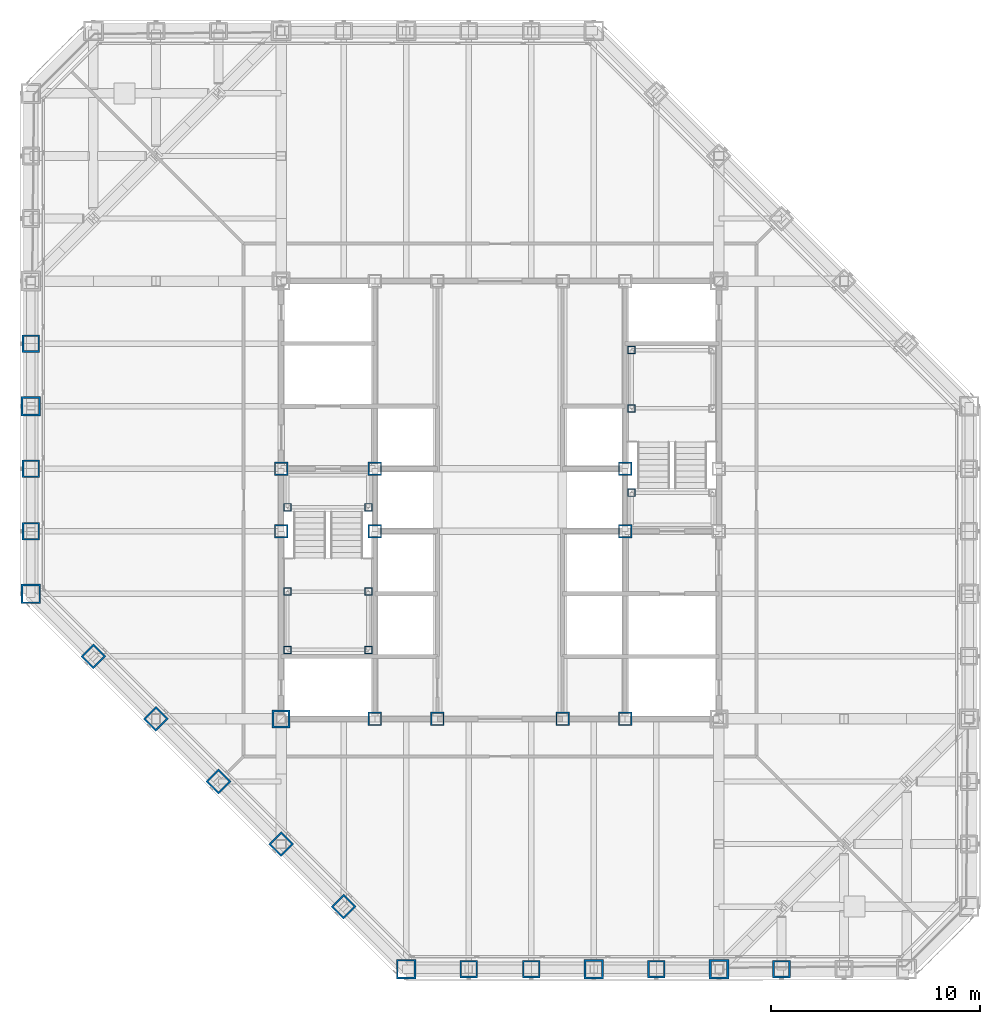
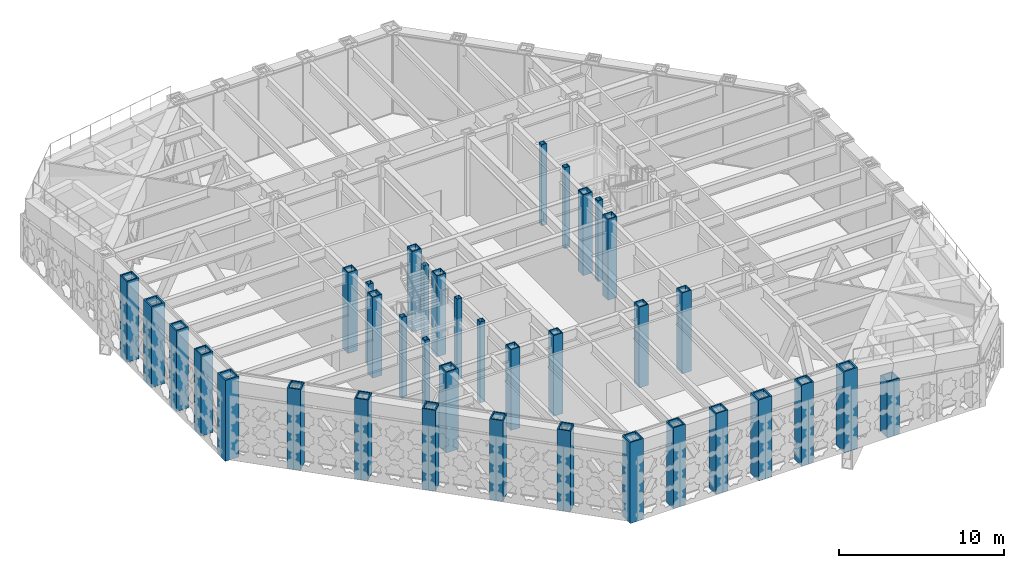
# One storey, part 1 of 28: 37 columns.
"""IFC4 building model written with IfcOpenShell, lengths in metres."""

from ifc_helpers import new_model, si_unit, direction, frame, origin, origin_2d, place, context, subcontext, project, spatial, hollow_rectangle, extrude, material, material_profile, profile_set, type_object, element, save


model = new_model("IFC4")

# Units and contexts
model_context = context("Model", 3, precision=1e-05, world=origin(), true_north=direction((0.0, 1.0)))
body_context = subcontext(model_context, "Body", "Model", "MODEL_VIEW")
ifc_project = project(units=[si_unit("LENGTHUNIT", "METRE"), si_unit("AREAUNIT", "SQUARE_METRE"), si_unit("VOLUMEUNIT", "CUBIC_METRE"), si_unit("PLANEANGLEUNIT", "RADIAN"), si_unit("MASSUNIT", "GRAM", prefix="KILO")], contexts=[model_context])

# Site, building, storey
site_placement = place(None, origin())
site = spatial("IfcSite", under=ifc_project, at=site_placement, CompositionType="ELEMENT")
building_placement = place(site_placement, origin())
building = spatial("IfcBuilding", under=site, at=building_placement, Name="Chuquiago Exchange Tower", CompositionType="ELEMENT")
storey_placement = place(building_placement, frame((0.0, 0.0, 174.0)))
storey = spatial("IfcBuildingStorey", under=building, at=storey_placement, Name="L38", CompositionType="ELEMENT", Elevation=174.0)

# Columns
ifc_material_1 = material(Name="Steel ASTM A572 Grade 50", Category="steel")
ifc_material_profile_1 = material_profile(ifc_material_1, hollow_rectangle(XDim=0.85009765625, YDim=0.85009765625, WallThickness=0.0849609375, at=origin_2d()), Name="BOX850X850X85")
ifc_profile_set_1 = profile_set([ifc_material_profile_1], Name="Steel ASTM A572 Grade 50")
column_type_1 = type_object("IfcColumnType", Name="C6 BOX850X850X85", PredefinedType="COLUMN", material=ifc_profile_set_1)
for number, where, z_axis, x_axis, name in (
    (1, (21.0, 0.0, 0.0), (0.0, 0.0, 1.0), (0.0, -1.0, 0.0), "COL-L38-21_0"),
    (2, (24.0, 0.0, 0.0), (0.0, 0.0, 1.0), (0.0, -1.0, 0.0), "COL-L38-24_0"),
    (3, (30.0, 0.0, 0.0), (0.0, 0.0, 1.0), (0.0, -1.0, 0.0), "COL-L38-30_0"),
):
    element("IfcColumn", number, at=place(storey_placement, frame(where, z_axis=z_axis, x_axis=x_axis)), inside=storey, type_object=column_type_1, Name=name, PredefinedType="COLUMN", context=body_context, shape_type="SweptSolid", body=[
        extrude(hollow_rectangle(XDim=0.85009765625, YDim=0.85009765625, WallThickness=0.0849609375, at=origin_2d()), origin(), (0.0, 0.0, 1.0), 6.0),
    ])
column_1_placement = place(storey_placement, frame((36.0, 0.0, 0.0), z_axis=(0.0, 0.0, 1.0), x_axis=(0.0, -1.0, 0.0)))
element("IfcColumn", 4, at=column_1_placement, inside=storey, type_object=column_type_1, Name="COL-L38-36_0", PredefinedType="COLUMN", context=body_context, shape_type="SweptSolid", body=[
    extrude(hollow_rectangle(XDim=0.85009765625, YDim=0.85009765625, WallThickness=0.0849609375, at=origin_2d()), origin(), (0.0, 0.0, 1.0), 4.149169921875),
])
for number, where, z_axis, x_axis, name in (
    (5, (0.0, 30.0, 0.0), (0.0, 0.0, 1.0), (-1.0, 0.0, 0.0), "COL-L38-0_30"),
    (6, (0.0, 24.0, 0.0), (0.0, 0.0, 1.0), (-1.0, 0.0, 0.0), "COL-L38-0_24"),
    (7, (0.0, 21.0, 0.0), (0.0, 0.0, 1.0), (-1.0, 0.0, 0.0), "COL-L38-0_21"),
    (8, (3.0, 15.0, 0.0), (0.0, 0.0, 1.0), (-0.707106781187, -0.707106781187, 0.0), "COL-L38-3_15"),
    (9, (6.0, 12.0, 0.0), (0.0, 0.0, 1.0), (-0.707106781187, -0.707106781187, 0.0), "COL-L38-6_12"),
    (10, (9.0, 9.0, 0.0), (0.0, 0.0, 1.0), (-0.707106781187, -0.707106781187, 0.0), "COL-L38-9_9"),
    (11, (12.0, 6.0, 0.0), (0.0, 0.0, 1.0), (-0.707106781187, -0.707106781187, 0.0), "COL-L38-12_6"),
    (12, (15.0, 3.0, 0.0), (0.0, 0.0, 1.0), (-0.707106781187, -0.707106781187, 0.0), "COL-L38-15_3"),
):
    element("IfcColumn", number, at=place(storey_placement, frame(where, z_axis=z_axis, x_axis=x_axis)), inside=storey, type_object=column_type_1, Name=name, PredefinedType="COLUMN", context=body_context, shape_type="SweptSolid", body=[
        extrude(hollow_rectangle(XDim=0.85009765625, YDim=0.85009765625, WallThickness=0.0849609375, at=origin_2d()), origin(), (0.0, 0.0, 1.0), 6.0),
    ])
ifc_material_2 = material(Name="Steel ASTM A572 Grade 50", Category="steel")
ifc_material_profile_2 = material_profile(ifc_material_2, hollow_rectangle(XDim=0.85009765625, YDim=0.85009765625, WallThickness=0.0849609375, at=origin_2d()), Name="BOX850X850X85")
ifc_profile_set_2 = profile_set([ifc_material_profile_2], Name="Steel ASTM A572 Grade 50")
column_type_2 = type_object("IfcColumnType", Name="CC6 BOX850X850X85", PredefinedType="COLUMN", material=ifc_profile_set_2)
column_2_placement = place(storey_placement, frame((12.0, 12.0, 0.0), z_axis=(0.0, 0.0, 1.0), x_axis=(1.0, 0.0, 0.0)))
element("IfcColumn", 13, at=column_2_placement, inside=storey, type_object=column_type_2, Name="CCOL-L38-12_12", PredefinedType="COLUMN", context=body_context, shape_type="SweptSolid", body=[
    extrude(hollow_rectangle(XDim=0.85009765625, YDim=0.85009765625, WallThickness=0.0849609375, at=origin_2d()), origin(), (0.0, 0.0, 1.0), 6.0),
])
ifc_material_3 = material(Name="Steel ASTM A572 Grade 50", Category="steel")
ifc_material_profile_3 = material_profile(ifc_material_3, hollow_rectangle(XDim=0.64990234375, YDim=0.64990234375, WallThickness=0.06494140625, at=origin_2d()), Name="BOX650X650X65")
ifc_profile_set_3 = profile_set([ifc_material_profile_3], Name="Steel ASTM A572 Grade 50")
column_type_3 = type_object("IfcColumnType", Name="CC7 BOX650X650X65", PredefinedType="COLUMN", material=ifc_profile_set_3)
for number, where, z_axis, x_axis, name in (
    (14, (16.5, 12.0, 0.0), (0.0, 0.0, 1.0), (1.0, 0.0, 0.0), "CCOL-L38-16.5_12"),
    (15, (19.5, 12.0, 0.0), (0.0, 0.0, 1.0), (1.0, 0.0, 0.0), "CCOL-L38-19.5_12"),
    (16, (25.5, 12.0, 0.0), (0.0, 0.0, 1.0), (1.0, 0.0, 0.0), "CCOL-L38-25.5_12"),
    (17, (28.5, 12.0, 0.0), (0.0, 0.0, 1.0), (1.0, 0.0, 0.0), "CCOL-L38-28.5_12"),
    (18, (12.0, 21.0, 0.0), (0.0, 0.0, 1.0), (1.0, 0.0, 0.0), "CCOL-L38-12_21"),
    (19, (12.0, 24.0, 0.0), (0.0, 0.0, 1.0), (1.0, 0.0, 0.0), "CCOL-L38-12_24"),
    (20, (16.5, 21.0, 0.0), (0.0, 0.0, 1.0), (1.0, 0.0, 0.0), "CCOL-L38-16.5_21"),
    (21, (16.5, 24.0, 0.0), (0.0, 0.0, 1.0), (1.0, 0.0, 0.0), "CCOL-L38-16.5_24"),
    (22, (28.5, 21.0, 0.0), (0.0, 0.0, 1.0), (1.0, 0.0, 0.0), "CCOL-L38-28.5_21"),
    (23, (28.5, 24.0, 0.0), (0.0, 0.0, 1.0), (1.0, 0.0, 0.0), "CCOL-L38-28.5_24"),
):
    element("IfcColumn", number, at=place(storey_placement, frame(where, z_axis=z_axis, x_axis=x_axis)), inside=storey, type_object=column_type_3, Name=name, PredefinedType="COLUMN", context=body_context, shape_type="SweptSolid", body=[
        extrude(hollow_rectangle(XDim=0.64990234375, YDim=0.64990234375, WallThickness=0.06494140625, at=origin_2d()), origin(), (0.0, 0.0, 1.0), 6.0),
    ])
ifc_material_4 = material(Name="Steel ASTM A572 Grade 50", Category="steel")
ifc_material_profile_4 = material_profile(ifc_material_4, hollow_rectangle(XDim=0.949951171875, YDim=0.949951171875, WallThickness=0.094970703125, at=origin_2d()), Name="BOX950X950X95")
ifc_profile_set_4 = profile_set([ifc_material_profile_4], Name="Steel ASTM A572 Grade 50")
column_type_4 = type_object("IfcColumnType", Name="CN1 BOX950X950X95", PredefinedType="COLUMN", material=ifc_profile_set_4)
for number, where, z_axis, x_axis, name in (
    (24, (18.0, 0.0, 0.0), (0.0, 0.0, 1.0), (0.0, -1.0, 0.0), "COL-L38-18_0"),
    (25, (0.0, 18.0, 0.0), (0.0, 0.0, 1.0), (-1.0, 0.0, 0.0), "COL-L38-0_18"),
):
    element("IfcColumn", number, at=place(storey_placement, frame(where, z_axis=z_axis, x_axis=x_axis)), inside=storey, type_object=column_type_4, Name=name, PredefinedType="COLUMN", context=body_context, shape_type="SweptSolid", body=[
        extrude(hollow_rectangle(XDim=0.949951171875, YDim=0.949951171875, WallThickness=0.094970703125, at=origin_2d()), origin(), (0.0, 0.0, 1.0), 6.0),
    ])
ifc_material_5 = material(Name="Steel ASTM A572 Grade 42", Category="steel")
ifc_material_profile_5 = material_profile(ifc_material_5, hollow_rectangle(XDim=0.949951171875, YDim=0.949951171875, WallThickness=0.110107421875, at=origin_2d()), Name="BOX950X950X110")
ifc_profile_set_5 = profile_set([ifc_material_profile_5], Name="Steel ASTM A572 Grade 42")
column_type_5 = type_object("IfcColumnType", Name="CT1 BOX950X950X110", PredefinedType="COLUMN", material=ifc_profile_set_5)
for number, where, z_axis, x_axis, name in (
    (26, (27.0, 0.0, 0.0), (0.0, 0.0, 1.0), (0.0, -1.0, 0.0), "COL-L38-27_0"),
    (27, (33.0, 0.0, 0.0), (0.0, 0.0, 1.0), (0.0, -1.0, 0.0), "COL-L38-33_0"),
    (28, (0.0, 27.0, 0.0), (0.0, 0.0, 1.0), (-1.0, 0.0, 0.0), "COL-L38-0_27"),
):
    element("IfcColumn", number, at=place(storey_placement, frame(where, z_axis=z_axis, x_axis=x_axis)), inside=storey, type_object=column_type_5, Name=name, PredefinedType="COLUMN", context=body_context, shape_type="SweptSolid", body=[
        extrude(hollow_rectangle(XDim=0.949951171875, YDim=0.949951171875, WallThickness=0.110107421875, at=origin_2d()), origin(), (0.0, 0.0, 1.0), 6.0),
    ])
ifc_material_6 = material(Name="Steel ASTM A500 Grade C", Category="steel")
ifc_material_profile_6 = material_profile(ifc_material_6, hollow_rectangle(XDim=0.355712890625, YDim=0.355712890625, WallThickness=0.0146484375, at=origin_2d()), Name="HSS14X14X5/8")
ifc_profile_set_6 = profile_set([ifc_material_profile_6], Name="Steel ASTM A500 Grade C")
column_type_6 = type_object("IfcColumnType", Name="PT2 HSS14X14X5/8", PredefinedType="COLUMN", material=ifc_profile_set_6)
for number, where, z_axis, x_axis, name in (
    (29, (12.31005859375, 15.31005859375, 0.0), (0.0, 0.0, 1.0), (1.0, 0.0, 0.0), "Stair ST1 L38 landing post"),
    (30, (16.18994140625, 15.31005859375, 0.0), (0.0, 0.0, 1.0), (1.0, 0.0, 0.0), "Stair ST1 L38 landing post"),
    (31, (12.31005859375, 18.110107421875, 0.0), (0.0, 0.0, 1.0), (1.0, 0.0, 0.0), "Stair ST1 L38 landing post"),
    (32, (16.18994140625, 18.110107421875, 0.0), (0.0, 0.0, 1.0), (1.0, 0.0, 0.0), "Stair ST1 L38 landing post"),
    (33, (12.31005859375, 22.14990234375, 0.0), (0.0, 0.0, 1.0), (1.0, 0.0, 0.0), "Stair ST1 L38 landing post"),
    (34, (16.18994140625, 22.14990234375, 0.0), (0.0, 0.0, 1.0), (1.0, 0.0, 0.0), "Stair ST1 L38 landing post"),
    (35, (28.81005859375, 29.68994140625, 0.0), (0.0, 0.0, 1.0), (1.0, 0.0, 0.0), "Stair ST2 L38 landing post"),
    (36, (28.81005859375, 26.889892578125, 0.0), (0.0, 0.0, 1.0), (1.0, 0.0, 0.0), "Stair ST2 L38 landing post"),
    (37, (28.81005859375, 22.85009765625, 0.0), (0.0, 0.0, 1.0), (1.0, 0.0, 0.0), "Stair ST2 L38 landing post"),
):
    element("IfcColumn", number, at=place(storey_placement, frame(where, z_axis=z_axis, x_axis=x_axis)), inside=storey, type_object=column_type_6, Name=name, PredefinedType="COLUMN", context=body_context, shape_type="SweptSolid", body=[
        extrude(hollow_rectangle(XDim=0.355712890625, YDim=0.355712890625, WallThickness=0.0146484375, at=origin_2d()), origin(), (0.0, 0.0, 1.0), 6.0),
    ])

save(model, "model.ifc")
